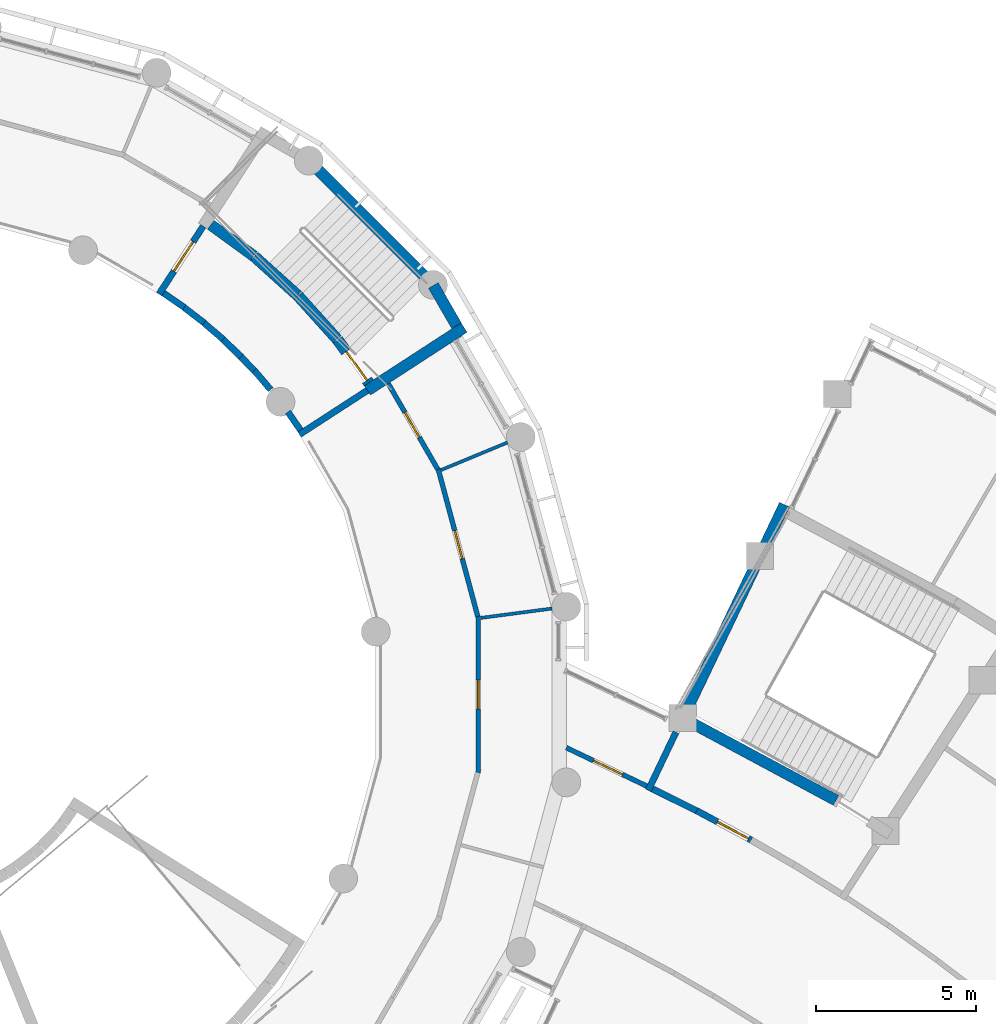
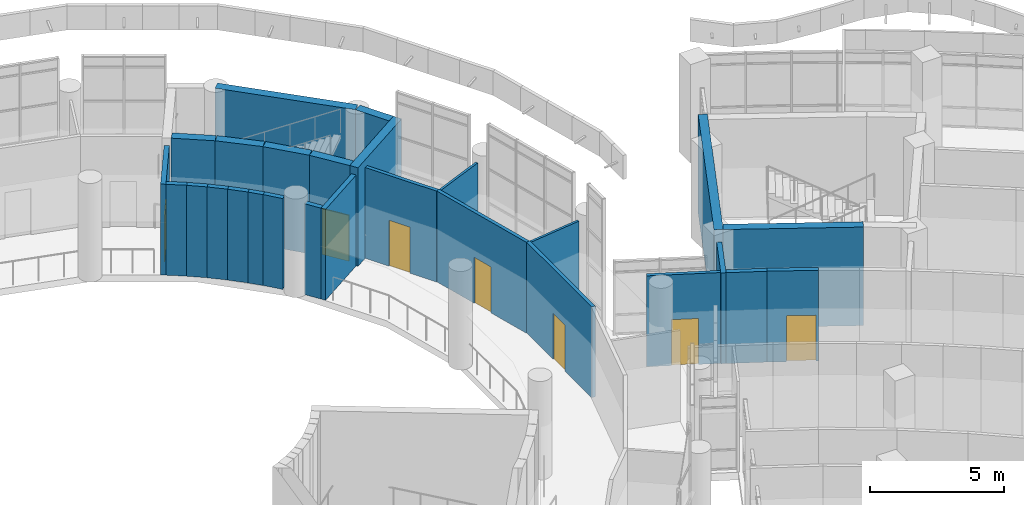
# One storey, part 64 of 136: 27 walls, 7 doors, 7 openings.
"""IFC4 building model written with IfcOpenShell, lengths in metres."""

import ifcopenshell
import ifcopenshell.guid

model = None  # the IFC model being written
_history = None  # IfcOwnerHistory: only IFC2X3 demands one
_inside = {}  # id of a spatial element -> (the spatial element, [elements in it])
_under = {}  # id of a project, library or spatial element -> (it, [spatial elements below it])
_declared = {}  # id of a project -> (the project, [libraries it declares])
_typed = {}  # id of a type object -> (the type object, [elements of that type])
_made_of = {}  # id of a material, layer set ... -> (it, [elements and type objects made of it])


def new_model(schema):
    """Start an empty IFC model of exactly this schema.

    Asked for "IFC4X3", IfcOpenShell would pick the latest addendum, in which some entities
    have other attributes; the version numbers below select the first issue.
    IFC2X3 requires an IfcOwnerHistory on every rooted entity: one is made here for all.
    """
    global model, _history
    if schema == "IFC4X3":
        model = ifcopenshell.file(schema_version=(4, 3, 0, 0))
    else:
        model = ifcopenshell.file(schema=schema)
    _inside.clear()
    _under.clear()
    _declared.clear()
    _typed.clear()
    _made_of.clear()
    _history = None
    if model.schema == "IFC2X3":
        org = make("IfcOrganization", Name="unknown")
        user = make(
            "IfcPersonAndOrganization",
            ThePerson=make("IfcPerson", FamilyName="unknown"),
            TheOrganization=org,
        )
        app = make(
            "IfcApplication",
            ApplicationDeveloper=org,
            Version="unknown",
            ApplicationFullName="unknown",
            ApplicationIdentifier="unknown",
        )
        _history = make(
            "IfcOwnerHistory",
            OwningUser=user,
            OwningApplication=app,
            ChangeAction="ADDED",
            CreationDate=0,
        )
    return model


def make(cls, **values):
    """One entity of the class cls with the attributes given. An attribute that is None is left unset."""
    return model.create_entity(
        cls, **{name: value for name, value in values.items() if value is not None}
    )


def rooted(cls, **values):
    """An entity with a GlobalId (a new one), such as an element, a storey or a relation."""
    return make(cls, GlobalId=ifcopenshell.guid.new(), OwnerHistory=_history, **values)


def si_unit(unit_type, name, prefix=None):
    """IfcSIUnit, for example si_unit("LENGTHUNIT", "METRE", prefix="MILLI")."""
    return make("IfcSIUnit", UnitType=unit_type, Prefix=prefix, Name=name)


def assignment(units):
    """IfcUnitAssignment: the units of a project."""
    return None if units is None else make("IfcUnitAssignment", Units=units)


def point(xyz):
    """IfcCartesianPoint."""
    return None if xyz is None else make("IfcCartesianPoint", Coordinates=xyz)


def direction(xyz):
    """IfcDirection."""
    return None if xyz is None else make("IfcDirection", DirectionRatios=xyz)


def frame(location, z_axis=None, x_axis=None):
    """IfcAxis2Placement3D, a coordinate frame: its origin and axes. An axis left out is left unset."""
    return make(
        "IfcAxis2Placement3D",
        Location=point(location),
        Axis=direction(z_axis),
        RefDirection=direction(x_axis),
    )


def frame_2d(location, x_axis=None):
    """IfcAxis2Placement2D, a coordinate frame in the plane: its origin and x axis."""
    return make(
        "IfcAxis2Placement2D", Location=point(location), RefDirection=direction(x_axis)
    )


def origin():
    """The frame at (0, 0, 0) with its axes left unset."""
    return frame((0.0, 0.0, 0.0))


def place(relative_to, where):
    """IfcLocalPlacement: puts the frame where relative to a parent placement (None: the world)."""
    return make(
        "IfcLocalPlacement", PlacementRelTo=relative_to, RelativePlacement=where
    )


def context(
    kind, dimensions, precision=None, world=None, true_north=None, identifier=None
):
    """IfcGeometricRepresentationContext, for example the 3D "Model" context."""
    return make(
        "IfcGeometricRepresentationContext",
        ContextIdentifier=identifier,
        ContextType=kind,
        CoordinateSpaceDimension=dimensions,
        Precision=precision,
        WorldCoordinateSystem=world,
        TrueNorth=true_north,
    )


def subcontext(parent, identifier, kind, view, scale=None):
    """IfcGeometricRepresentationSubContext, for example "Body" below "Model"."""
    return make(
        "IfcGeometricRepresentationSubContext",
        ContextIdentifier=identifier,
        ContextType=kind,
        ParentContext=parent,
        TargetScale=scale,
        TargetView=view,
    )


def project(units=None, contexts=None):
    """IfcProject with its units and contexts."""
    return rooted(
        "IfcProject",
        Name="project",
        RepresentationContexts=contexts,
        UnitsInContext=assignment(units),
    )


def spatial(cls, under=None, at=None, **own):
    """A site, building, storey or space (cls), placed at a placement, below another one or the project."""
    s = rooted(cls, ObjectPlacement=at, **own)
    if under is not None:
        _under.setdefault(under.id(), (under, []))[1].append(s)
    return s


def profile(cls, at=None, kind="AREA", **sizes):
    """A parametric profile (cls). Its sizes go by their IFC names, for example OverallWidth=200.0."""
    return make(cls, ProfileType=kind, Position=at, **sizes)


def rectangle(**sizes):
    """IfcRectangleProfileDef."""
    return profile("IfcRectangleProfileDef", **sizes)


def extrude(swept, where, along, depth):
    """IfcExtrudedAreaSolid: the profile swept, set in the frame where, extruded along a direction by depth."""
    return make(
        "IfcExtrudedAreaSolid",
        SweptArea=swept,
        Position=where,
        ExtrudedDirection=direction(along),
        Depth=depth,
    )


def shape(context_of_items, identifier, shape_type, items):
    """IfcShapeRepresentation: the items that make up one representation, for example the "Body"."""
    return make(
        "IfcShapeRepresentation",
        ContextOfItems=context_of_items,
        RepresentationIdentifier=identifier,
        RepresentationType=shape_type,
        Items=items,
    )


def material(Name=None, Category=None):
    """IfcMaterial."""
    return make("IfcMaterial", Name=Name, Category=Category)


def layer(
    of_material, thickness, ventilated=None, Name=None, Category=None, Priority=None
):
    """IfcMaterialLayer: one layer of a wall or slab, of a material (None: an air gap)."""
    return make(
        "IfcMaterialLayer",
        Material=of_material,
        LayerThickness=thickness,
        IsVentilated=ventilated,
        Name=Name,
        Category=Category,
        Priority=Priority,
    )


def layer_set(layers, Name=None):
    """IfcMaterialLayerSet."""
    return make("IfcMaterialLayerSet", MaterialLayers=layers, LayerSetName=Name)


def made_of(thing, what):
    """Note that an element or type object is made of a material, layer set ...; save() writes the relation."""
    if what is not None:
        _made_of.setdefault(what.id(), (what, []))[1].append(thing)
    return thing


def type_object(cls, material=None, **own):
    """A type object (cls), such as IfcWallType, which elements share."""
    return made_of(rooted(cls, **own), material)


def element(
    cls,
    number,
    at=None,
    inside=None,
    cuts=None,
    type_object=None,
    material=None,
    context=None,
    identifier="Body",
    shape_type=None,
    held_by="IfcProductDefinitionShape",
    body=None,
    shapes=None,
    **own,
):
    """One element of the class cls, such as IfcWall. Its Tag is "e" and its number.

    at: its placement. inside: the storey or other place that contains it. cuts: it is an
    opening in that element (IfcRelVoidsElement). A single representation is given by context,
    identifier, shape_type and body (its items); several are given by shapes. held_by: the class
    of the entity that holds the representations. save() writes the other relations.
    """
    e = rooted(cls, Tag="e%d" % number, ObjectPlacement=at, **own)
    if body is not None:
        shapes = [shape(context, identifier, shape_type, body)]
    if shapes is not None:
        e.Representation = make(held_by, Representations=shapes)
    if inside is not None:
        _inside.setdefault(inside.id(), (inside, []))[1].append(e)
    if cuts is not None:
        rooted(
            "IfcRelVoidsElement", RelatingBuildingElement=cuts, RelatedOpeningElement=e
        )
    if type_object is not None:
        _typed.setdefault(type_object.id(), (type_object, []))[1].append(e)
    return made_of(e, material)


def fill(opening, filler):
    """IfcRelFillsElement: the door or window that sits in an opening."""
    return rooted(
        "IfcRelFillsElement",
        RelatingOpeningElement=opening,
        RelatedBuildingElement=filler,
    )


def aggregate(whole, parts):
    """IfcRelAggregates: a whole, such as a stair, and the parts it consists of."""
    return rooted("IfcRelAggregates", RelatingObject=whole, RelatedObjects=parts)


def save(model, path):
    """Write the relations noted so far, then the file.

    IfcRelAggregates (storeys below a building ...), IfcRelContainedInSpatialStructure (elements
    in a storey), IfcRelDefinesByType, IfcRelAssociatesMaterial and IfcRelDeclares: one each for
    every whole, place, type object, material and project.
    """
    for whole, parts in _under.values():
        aggregate(whole, parts)
    for where, things in _inside.values():
        rooted(
            "IfcRelContainedInSpatialStructure",
            RelatedElements=things,
            RelatingStructure=where,
        )
    for kind, things in _typed.values():
        rooted("IfcRelDefinesByType", RelatedObjects=things, RelatingType=kind)
    for what, things in _made_of.values():
        rooted("IfcRelAssociatesMaterial", RelatedObjects=things, RelatingMaterial=what)
    for by, libraries in _declared.values():
        rooted("IfcRelDeclares", RelatingContext=by, RelatedDefinitions=libraries)
    model.write(path)


model = new_model("IFC4")

# Units and contexts
model_context = context("Model", 3, precision=1e-05, world=origin(), true_north=direction((0.0, 1.0)))
body_context = subcontext(model_context, "Body", "Model", "MODEL_VIEW")
ifc_project = project(units=[si_unit("LENGTHUNIT", "METRE"), si_unit("AREAUNIT", "SQUARE_METRE"), si_unit("VOLUMEUNIT", "CUBIC_METRE"), si_unit("PLANEANGLEUNIT", "RADIAN"), si_unit("MASSUNIT", "GRAM", prefix="KILO")], contexts=[model_context])

# Site, building, storey
site_placement = place(None, origin())
site = spatial("IfcSite", under=ifc_project, at=site_placement, CompositionType="ELEMENT")
building_placement = place(site_placement, origin())
building = spatial("IfcBuilding", under=site, at=building_placement, Name="Bougainvillea Quay General Hospital", CompositionType="ELEMENT")
storey_placement = place(building_placement, frame((0.0, 0.0, 5.39990234375)))
storey = spatial("IfcBuildingStorey", under=building, at=storey_placement, Name="L01", CompositionType="ELEMENT", Elevation=5.39990234375)

# Walls
ifc_material_1 = material(Name="Gypsum board partition on steel studs", Category="steel")
ifc_layer_1 = layer(ifc_material_1, 0.10009765625)
ifc_layer_set_1 = layer_set([ifc_layer_1], Name="Gypsum board partition on steel studs")
wall_type_1 = type_object("IfcWallType", Name="Partition 100 Gypsum board partition EI 30", PredefinedType="PARTITIONING", material=ifc_layer_set_1)
wall_1_placement = place(storey_placement, frame((126.11572265625, 81.00634765625, 0.0), z_axis=(0.0, 0.0, 1.0), x_axis=(0.923835070081, 0.382790756536, 0.0)))
element("IfcWall", 1, at=wall_1_placement, inside=storey, type_object=wall_type_1, Name="Partition 100 mm EI 30", PredefinedType="PARTITIONING", context=body_context, shape_type="SweptSolid", body=[
    extrude(rectangle(XDim=2.2431640625, YDim=0.10009765625, at=frame_2d((1.12158203125, 0.0))), origin(), (0.0, 0.0, 1.0), 4.150146484375),
])
wall_2_placement = place(storey_placement, frame((127.353515625, 76.390625, 0.0), z_axis=(0.0, 0.0, 1.0), x_axis=(0.991472443169, 0.130316516358, 0.0)))
element("IfcWall", 2, at=wall_2_placement, inside=storey, type_object=wall_type_1, Name="Partition 100 mm EI 30", PredefinedType="PARTITIONING", context=body_context, shape_type="SweptSolid", body=[
    extrude(rectangle(XDim=2.242431640625, YDim=0.10009765625, at=frame_2d((1.12109375, 0.0))), origin(), (0.0, 0.0, 1.0), 4.150146484375),
])

# Wall, opening, door
ifc_material_2 = material(Name="Gypsum board partition on steel studs, insulated", Category="steel")
ifc_layer_2 = layer(ifc_material_2, 0.14990234375)
ifc_layer_set_2 = layer_set([ifc_layer_2], Name="Gypsum board partition on steel studs, insulated")
wall_type_2 = type_object("IfcWallType", Name="Partition 150 Gypsum board partition EI 30", PredefinedType="PARTITIONING", material=ifc_layer_set_2)
wall_3_placement = place(storey_placement, frame((127.27197265625, 71.544921875, 0.0), z_axis=(0.0, 0.0, 1.0), x_axis=(0.0, 1.0, 0.0)))
wall_3 = element("IfcWall", 3, at=wall_3_placement, inside=storey, type_object=wall_type_2, Name="Partition 150 mm EI 30", PredefinedType="PARTITIONING", context=body_context, shape_type="SweptSolid", body=[
    extrude(rectangle(XDim=4.91015625, YDim=0.14990234375, at=frame_2d((2.455078125, 0.0))), origin(), (0.0, 0.0, 1.0), 4.150146484375),
])
opening_1_placement = place(wall_3_placement, frame((2.0048828125, 0.0, 0.0)))
opening_1 = element("IfcOpeningElement", 4, at=opening_1_placement, cuts=wall_3, Name="Opening L01.298", PredefinedType="OPENING", context=body_context, shape_type="SweptSolid", body=[
    extrude(rectangle(XDim=0.89990234375, YDim=2.10009765625, at=frame_2d((0.449951171875, 1.050048828125))), frame((0.0, 0.0849609375, 0.0), z_axis=(0.0, -1.0, 0.0), x_axis=(1.0, 0.0, 0.0)), (0.0, 0.0, 1.0), 0.169921875),
])
ifc_material_3 = material(Name="Solid-core timber door leaf in steel frame", Category="steel")
door_type_1 = type_object("IfcDoorType", Name="Single leaf door 900x2100 FD30S", OperationType="NOTDEFINED", PredefinedType="DOOR", material=ifc_material_3)
door_1_placement = place(opening_1_placement, frame((0.89990234375, 0.0, 0.0), z_axis=(0.0, 0.0, 1.0), x_axis=(-1.0, 0.0, 0.0)))
door_1 = element("IfcDoor", 5, at=door_1_placement, inside=storey, type_object=door_type_1, Name="DT16 L01.298", OperationType="SINGLE_SWING_RIGHT", OverallHeight=2.10009765625, OverallWidth=0.89990234375, PredefinedType="DOOR", context=body_context, shape_type="SweptSolid", body=[
    extrude(rectangle(XDim=0.89990234375, YDim=2.10009765625, at=frame_2d((0.449951171875, 1.050048828125))), frame((0.0, 0.02490234375, 0.0), z_axis=(0.0, -1.0, 0.0), x_axis=(1.0, 0.0, 0.0)), (0.0, 0.0, 1.0), 0.050048828125),
])
fill(opening_1, door_1)

wall_4_placement = place(storey_placement, frame((126.0205078125, 81.04736328125, 0.0), z_axis=(0.0, 0.0, 1.0), x_axis=(0.259008724248, -0.965874981953, 0.0)))
wall_4 = element("IfcWall", 6, at=wall_4_placement, inside=storey, type_object=wall_type_2, Name="Partition 150 mm EI 30", PredefinedType="PARTITIONING", context=body_context, shape_type="SweptSolid", body=[
    extrude(rectangle(XDim=4.774169921875, YDim=0.14990234375, at=frame_2d((2.38720703125, 0.0))), origin(), (0.0, 0.0, 1.0), 4.150146484375),
])
opening_2_placement = place(wall_4_placement, frame((2.003662109375, 0.0, 0.0)))
opening_2 = element("IfcOpeningElement", 7, at=opening_2_placement, cuts=wall_4, Name="Opening L01.299", PredefinedType="OPENING", context=body_context, shape_type="SweptSolid", body=[
    extrude(rectangle(XDim=0.89990234375, YDim=2.10009765625, at=frame_2d((0.449951171875, 1.050048828125))), frame((0.0, 0.0849609375, 0.0), z_axis=(0.0, -1.0, 0.0), x_axis=(1.0, 0.0, 0.0)), (0.0, 0.0, 1.0), 0.169921875),
])
door_2_placement = place(opening_2_placement, origin())
door_2 = element("IfcDoor", 8, at=door_2_placement, inside=storey, type_object=door_type_1, Name="DT16 L01.299", OperationType="SINGLE_SWING_RIGHT", OverallHeight=2.10009765625, OverallWidth=0.89990234375, PredefinedType="DOOR", context=body_context, shape_type="SweptSolid", body=[
    extrude(rectangle(XDim=0.89990234375, YDim=2.10009765625, at=frame_2d((0.449951171875, 1.050048828125))), frame((0.0, 0.02490234375, 0.0), z_axis=(0.0, -1.0, 0.0), x_axis=(1.0, 0.0, 0.0)), (0.0, 0.0, 1.0), 0.050048828125),
])
fill(opening_2, door_2)

wall_5_placement = place(storey_placement, frame((124.466552734375, 83.700927734375, 0.0), z_axis=(0.0, 0.0, 1.0), x_axis=(0.499895749011, -0.866085584755, 0.0)))
wall_5 = element("IfcWall", 9, at=wall_5_placement, inside=storey, type_object=wall_type_2, Name="Partition 150 mm EI 30", PredefinedType="PARTITIONING", context=body_context, shape_type="SweptSolid", body=[
    extrude(rectangle(XDim=3.089599609375, YDim=0.14990234375, at=frame_2d((1.544921875, 0.0))), origin(), (0.0, 0.0, 1.0), 4.150146484375),
])
opening_3_placement = place(wall_5_placement, frame((1.0341796875, 0.0, 0.0)))
opening_3 = element("IfcOpeningElement", 10, at=opening_3_placement, cuts=wall_5, Name="Opening L01.300", PredefinedType="OPENING", context=body_context, shape_type="SweptSolid", body=[
    extrude(rectangle(XDim=0.89990234375, YDim=2.10009765625, at=frame_2d((0.449951171875, 1.050048828125))), frame((0.0, 0.0849609375, 0.0), z_axis=(0.0, -1.0, 0.0), x_axis=(1.0, 0.0, 0.0)), (0.0, 0.0, 1.0), 0.169921875),
])
door_3_placement = place(opening_3_placement, origin())
door_3 = element("IfcDoor", 11, at=door_3_placement, inside=storey, type_object=door_type_1, Name="DT16 L01.300", OperationType="SINGLE_SWING_LEFT", OverallHeight=2.10009765625, OverallWidth=0.89990234375, PredefinedType="DOOR", context=body_context, shape_type="SweptSolid", body=[
    extrude(rectangle(XDim=0.89990234375, YDim=2.10009765625, at=frame_2d((0.449951171875, 1.050048828125))), frame((0.0, 0.02490234375, 0.0), z_axis=(0.0, -1.0, 0.0), x_axis=(1.0, 0.0, 0.0)), (0.0, 0.0, 1.0), 0.050048828125),
])
fill(opening_3, door_3)

wall_6_placement = place(storey_placement, frame((130.02001953125, 72.341064453125, 0.0), z_axis=(0.0, 0.0, 1.0), x_axis=(0.902598955707, -0.43048243304, 0.0)))
wall_6 = element("IfcWall", 12, at=wall_6_placement, inside=storey, type_object=wall_type_2, Name="Partition 150 mm EI 30", PredefinedType="PARTITIONING", context=body_context, shape_type="SweptSolid", body=[
    extrude(rectangle(XDim=2.779541015625, YDim=0.14990234375, at=frame_2d((1.3896484375, 0.0))), origin(), (0.0, 0.0, 1.0), 4.150146484375),
])
opening_4_placement = place(wall_6_placement, frame((0.940185546875, 0.0, 0.0)))
opening_4 = element("IfcOpeningElement", 13, at=opening_4_placement, cuts=wall_6, Name="Opening L01.285", PredefinedType="OPENING", context=body_context, shape_type="SweptSolid", body=[
    extrude(rectangle(XDim=1.0, YDim=2.10009765625, at=frame_2d((0.5, 1.050048828125))), frame((0.0, 0.0849609375, 0.0), z_axis=(0.0, -1.0, 0.0), x_axis=(1.0, 0.0, 0.0)), (0.0, 0.0, 1.0), 0.169921875),
])
door_type_2 = type_object("IfcDoorType", Name="Single leaf door 1000x2100 FD30S", OperationType="NOTDEFINED", PredefinedType="DOOR", material=ifc_material_3)
door_4_placement = place(opening_4_placement, origin())
door_4 = element("IfcDoor", 14, at=door_4_placement, inside=storey, type_object=door_type_2, Name="DT15 L01.285", OperationType="SINGLE_SWING_RIGHT", OverallHeight=2.10009765625, OverallWidth=1.0, PredefinedType="DOOR", context=body_context, shape_type="SweptSolid", body=[
    extrude(rectangle(XDim=1.0, YDim=2.10009765625, at=frame_2d((0.5, 1.050048828125))), frame((0.0, 0.02490234375, 0.0), z_axis=(0.0, -1.0, 0.0), x_axis=(1.0, 0.0, 0.0)), (0.0, 0.0, 1.0), 0.050048828125),
])
fill(opening_4, door_4)

ifc_material_4 = material(Name="Fire-rated autoclaved aerated block wall, plastered")
ifc_layer_3 = layer(ifc_material_4, 0.199951171875)
ifc_layer_set_3 = layer_set([ifc_layer_3], Name="Fire-rated autoclaved aerated block wall, plastered")
wall_type_3 = type_object("IfcWallType", Name="Partition 200 Fire-rated autoclaved aerated block wall EI 120", PredefinedType="SOLIDWALL", material=ifc_layer_set_3)
wall_7_placement = place(storey_placement, frame((117.3154296875, 86.49609375, 0.0), z_axis=(0.0, 0.0, 1.0), x_axis=(0.544553338247, 0.838726213853, 0.0)))
wall_7 = element("IfcWall", 15, at=wall_7_placement, inside=storey, type_object=wall_type_3, Name="Partition 200 mm EI 120", PredefinedType="SOLIDWALL", context=body_context, shape_type="SweptSolid", body=[
    extrude(rectangle(XDim=2.525390625, YDim=0.199951171875, at=frame_2d((1.2626953125, 0.0))), origin(), (0.0, 0.0, 1.0), 4.150146484375),
])
opening_5_placement = place(wall_7_placement, frame((0.85009765625, 0.0, 0.0)))
opening_5 = element("IfcOpeningElement", 16, at=opening_5_placement, cuts=wall_7, Name="Opening L01.326", PredefinedType="OPENING", context=body_context, shape_type="SweptSolid", body=[
    extrude(rectangle(XDim=1.10009765625, YDim=2.10009765625, at=frame_2d((0.550048828125, 1.050048828125))), frame((0.0, 0.10986328125, 0.0), z_axis=(0.0, -1.0, 0.0), x_axis=(1.0, 0.0, 0.0)), (0.0, 0.0, 1.0), 0.219970703125),
])
door_type_3 = type_object("IfcDoorType", Name="Single leaf door 1100x2100 FD60", OperationType="NOTDEFINED", PredefinedType="DOOR", material=ifc_material_3)
door_5_placement = place(opening_5_placement, frame((1.10009765625, 0.0, 0.0), z_axis=(0.0, 0.0, 1.0), x_axis=(-1.0, 0.0, 0.0)))
door_5 = element("IfcDoor", 17, at=door_5_placement, inside=storey, type_object=door_type_3, Name="DT19 L01.326", OperationType="SINGLE_SWING_LEFT", OverallHeight=2.10009765625, OverallWidth=1.10009765625, PredefinedType="DOOR", context=body_context, shape_type="SweptSolid", body=[
    extrude(rectangle(XDim=1.10009765625, YDim=2.10009765625, at=frame_2d((0.550048828125, 1.050048828125))), frame((0.0, 0.02490234375, 0.0), z_axis=(0.0, -1.0, 0.0), x_axis=(1.0, 0.0, 0.0)), (0.0, 0.0, 1.0), 0.050048828125),
])
fill(opening_5, door_5)

# Walls
wall_8_placement = place(storey_placement, frame((121.696044921875, 82.115478515625, 0.0), z_axis=(0.0, 0.0, 1.0), x_axis=(0.838726213853, 0.544553338247, 0.0)))
element("IfcWall", 18, at=wall_8_placement, inside=storey, type_object=wall_type_3, Name="Partition 200 mm EI 120", PredefinedType="SOLIDWALL", context=body_context, shape_type="SweptSolid", body=[
    extrude(rectangle(XDim=2.525390625, YDim=0.199951171875, at=frame_2d((1.2626953125, 0.0))), origin(), (0.0, 0.0, 1.0), 4.150146484375),
])
wall_9_placement = place(storey_placement, frame((132.576904296875, 71.0107421875, 0.0), z_axis=(0.0, 0.0, 1.0), x_axis=(0.430518201576, 0.902581895515, 0.0)))
element("IfcWall", 19, at=wall_9_placement, inside=storey, type_object=wall_type_3, Name="Partition 200 mm EI 120", PredefinedType="SOLIDWALL", context=body_context, shape_type="SweptSolid", body=[
    extrude(rectangle(XDim=2.009765625, YDim=0.199951171875, at=frame_2d((1.0048828125, 0.0))), origin(), (0.0, 0.0, 1.0), 4.150146484375),
])

# Wall, opening, door
wall_10_placement = place(storey_placement, frame((134.0859375, 70.37646484375, 0.0), z_axis=(0.0, 0.0, 1.0), x_axis=(0.880766540035, -0.473550738521, 0.0)))
wall_10 = element("IfcWall", 20, at=wall_10_placement, inside=storey, type_object=wall_type_3, Name="Partition 200 mm EI 120", PredefinedType="SOLIDWALL", context=body_context, shape_type="SweptSolid", body=[
    extrude(rectangle(XDim=1.935791015625, YDim=0.199951171875, at=frame_2d((0.9677734375, 0.0))), origin(), (0.0, 0.0, 1.0), 4.150146484375),
])
opening_6_placement = place(wall_10_placement, frame((0.736083984375, 0.0, 0.0)))
opening_6 = element("IfcOpeningElement", 21, at=opening_6_placement, cuts=wall_10, Name="Opening L01.318", PredefinedType="OPENING", context=body_context, shape_type="SweptSolid", body=[
    extrude(rectangle(XDim=1.10009765625, YDim=2.10009765625, at=frame_2d((0.550048828125, 1.050048828125))), frame((0.0, 0.10986328125, 0.0), z_axis=(0.0, -1.0, 0.0), x_axis=(1.0, 0.0, 0.0)), (0.0, 0.0, 1.0), 0.219970703125),
])
ifc_material_5 = material(Name="Steel fire door leaf in steel frame", Category="steel")
door_type_4 = type_object("IfcDoorType", Name="Steel single leaf door 1100x2100 FD60", OperationType="NOTDEFINED", PredefinedType="DOOR", material=ifc_material_5)
door_6_placement = place(opening_6_placement, origin())
door_6 = element("IfcDoor", 22, at=door_6_placement, inside=storey, type_object=door_type_4, Name="DT04 L01.318", OperationType="SINGLE_SWING_RIGHT", OverallHeight=2.10009765625, OverallWidth=1.10009765625, PredefinedType="DOOR", context=body_context, shape_type="SweptSolid", body=[
    extrude(rectangle(XDim=1.10009765625, YDim=2.10009765625, at=frame_2d((0.550048828125, 1.050048828125))), frame((0.0, 0.02490234375, 0.0), z_axis=(0.0, -1.0, 0.0), x_axis=(1.0, 0.0, 0.0)), (0.0, 0.0, 1.0), 0.050048828125),
])
fill(opening_6, door_6)

# Walls
wall_11_placement = place(storey_placement, frame((132.7109375, 71.055908203125, 0.0), z_axis=(0.0, 0.0, 1.0), x_axis=(0.895536498634, -0.444988066822, 0.0)))
element("IfcWall", 23, at=wall_11_placement, inside=storey, type_object=wall_type_3, Name="Partition 200 mm EI 120", PredefinedType="SOLIDWALL", context=body_context, shape_type="SweptSolid", body=[
    extrude(rectangle(XDim=1.536865234375, YDim=0.199951171875, at=frame_2d((0.7685546875, 0.0))), origin(), (0.0, 0.0, 1.0), 4.150146484375),
])
wall_12_placement = place(storey_placement, frame((121.334716796875, 82.8173828125, 0.0), z_axis=(0.0, 0.0, 1.0), x_axis=(0.56675458302, -0.823886668557, 0.0)))
element("IfcWall", 24, at=wall_12_placement, inside=storey, type_object=wall_type_3, Name="Partition 200 mm EI 120", PredefinedType="SOLIDWALL", context=body_context, shape_type="SweptSolid", body=[
    extrude(rectangle(XDim=0.6884765625, YDim=0.199951171875, at=frame_2d((0.34423828125, 0.0))), origin(), (0.0, 0.0, 1.0), 4.150146484375),
])
wall_13_placement = place(storey_placement, frame((117.4501953125, 86.52490234375, 0.0), z_axis=(0.0, 0.0, 1.0), x_axis=(0.823906287356, -0.566726062269, 0.0)))
element("IfcWall", 25, at=wall_13_placement, inside=storey, type_object=wall_type_3, Name="Partition 200 mm EI 120", PredefinedType="SOLIDWALL", context=body_context, shape_type="SweptSolid", body=[
    extrude(rectangle(XDim=0.787841796875, YDim=0.199951171875, at=frame_2d((0.39404296875, 0.0))), origin(), (0.0, 0.0, 1.0), 4.150146484375),
])
for number, where, z_axis, x_axis, name in (
    (26, (118.09228515625, 86.0771484375, 0.0), (0.0, 0.0, 1.0), (0.793427303362, -0.608665026333, 0.0), "Partition 200 mm EI 120"),
    (27, (120.281982421875, 84.113037109375, 0.0), (0.0, 0.0, 1.0), (0.649645835292, -0.76023699508, 0.0), "Partition 200 mm EI 120"),
):
    element("IfcWall", number, at=place(storey_placement, frame(where, z_axis=z_axis, x_axis=x_axis)), inside=storey, type_object=wall_type_3, Name=name, PredefinedType="SOLIDWALL", context=body_context, shape_type="SweptSolid", body=[
        extrude(rectangle(XDim=0.790283203125, YDim=0.199951171875, at=frame_2d((0.39501953125, 0.0))), origin(), (0.0, 0.0, 1.0), 4.150146484375),
    ])
wall_14_placement = place(storey_placement, frame((118.712158203125, 85.59521484375, 0.0), z_axis=(0.0, 0.0, 1.0), x_axis=(0.760389572583, -0.649467241597, 0.0)))
element("IfcWall", 28, at=wall_14_placement, inside=storey, type_object=wall_type_3, Name="Partition 200 mm EI 120", PredefinedType="SOLIDWALL", context=body_context, shape_type="SweptSolid", body=[
    extrude(rectangle(XDim=0.7900390625, YDim=0.199951171875, at=frame_2d((0.39501953125, 0.0))), origin(), (0.0, 0.0, 1.0), 4.150146484375),
])
wall_15_placement = place(storey_placement, frame((119.305908203125, 85.08154296875, 0.0), z_axis=(0.0, 0.0, 1.0), x_axis=(0.726001390363, -0.687693231893, 0.0)))
element("IfcWall", 29, at=wall_15_placement, inside=storey, type_object=wall_type_3, Name="Partition 200 mm EI 120", PredefinedType="SOLIDWALL", context=body_context, shape_type="SweptSolid", body=[
    extrude(rectangle(XDim=0.790283203125, YDim=0.199951171875, at=frame_2d((0.39501953125, 0.0))), origin(), (0.0, 0.0, 1.0), 4.150146484375),
])
wall_16_placement = place(storey_placement, frame((119.872314453125, 84.5380859375, 0.0), z_axis=(0.0, 0.0, 1.0), x_axis=(0.687562563481, -0.726125141624, 0.0)))
element("IfcWall", 30, at=wall_16_placement, inside=storey, type_object=wall_type_3, Name="Partition 200 mm EI 120", PredefinedType="SOLIDWALL", context=body_context, shape_type="SweptSolid", body=[
    extrude(rectangle(XDim=0.59521484375, YDim=0.199951171875, at=frame_2d((0.297607421875, 0.0))), origin(), (0.0, 0.0, 1.0), 4.150146484375),
])
ifc_material_6 = material(Name="Concrete C40", Category="concrete")
ifc_layer_4 = layer(ifc_material_6, 0.35009765625)
ifc_layer_set_4 = layer_set([ifc_layer_4], Name="Concrete C40")
wall_type_4 = type_object("IfcWallType", Name="RC SHEAR WALL 350 C40", PredefinedType="SHEAR", material=ifc_layer_set_4)
wall_17_placement = place(storey_placement, frame((118.927490234375, 88.658203125, 0.0), z_axis=(0.0, 0.0, 1.0), x_axis=(0.808869786542, -0.587987813155, 0.0)))
element("IfcWall", 31, at=wall_17_placement, inside=storey, type_object=wall_type_4, Name="Shear wall L01", PredefinedType="SHEAR", context=body_context, shape_type="SweptSolid", body=[
    extrude(rectangle(XDim=1.657958984375, YDim=0.35009765625, at=frame_2d((0.8291015625, 0.0))), origin(), (0.0, 0.0, 1.0), 4.5),
])
for number, where, z_axis, x_axis, name in (
    (32, (120.28271484375, 87.671875, 0.0), (0.0, 0.0, 1.0), (0.743081147279, -0.669201321397, 0.0), "Shear wall L01"),
    (33, (121.651123046875, 86.438232421875, 0.0), (0.0, 0.0, 1.0), (0.669201321397, -0.743081147279, 0.0), "Shear wall L01"),
):
    element("IfcWall", number, at=place(storey_placement, frame(where, z_axis=z_axis, x_axis=x_axis)), inside=storey, type_object=wall_type_4, Name=name, PredefinedType="SHEAR", context=body_context, shape_type="SweptSolid", body=[
        extrude(rectangle(XDim=1.82421875, YDim=0.35009765625, at=frame_2d((0.912109375, 0.0))), origin(), (0.0, 0.0, 1.0), 4.5),
    ])
wall_18_placement = place(storey_placement, frame((122.000244140625, 90.643798828125, 0.0), z_axis=(0.0, 0.0, 1.0), x_axis=(0.707106781187, -0.707106781187, 0.0)))
element("IfcWall", 34, at=wall_18_placement, inside=storey, type_object=wall_type_4, Name="Shear wall L01", PredefinedType="SHEAR", context=body_context, shape_type="SweptSolid", body=[
    extrude(rectangle(XDim=5.435546875, YDim=0.35009765625, at=frame_2d((2.7177734375, 0.0))), origin(), (0.0, 0.0, 1.0), 4.5),
])

# Wall, opening, door
wall_19_placement = place(storey_placement, frame((122.88330078125, 85.068603515625, 0.0), z_axis=(0.0, 0.0, 1.0), x_axis=(0.587987813155, -0.808869786542, 0.0)))
wall_19 = element("IfcWall", 35, at=wall_19_placement, inside=storey, type_object=wall_type_4, Name="Shear wall L01", PredefinedType="SHEAR", context=body_context, shape_type="SweptSolid", body=[
    extrude(rectangle(XDim=1.657958984375, YDim=0.35009765625, at=frame_2d((0.8291015625, 0.0))), origin(), (0.0, 0.0, 1.0), 4.5),
])
opening_7_placement = place(wall_19_placement, frame((0.457763671875, 0.0, 0.0)))
opening_7 = element("IfcOpeningElement", 36, at=opening_7_placement, cuts=wall_19, Name="Opening L01.325", PredefinedType="OPENING", context=body_context, shape_type="SweptSolid", body=[
    extrude(rectangle(XDim=1.10009765625, YDim=2.10009765625, at=frame_2d((0.550048828125, 1.050048828125))), frame((0.0, 0.18505859375, 0.0), z_axis=(0.0, -1.0, 0.0), x_axis=(1.0, 0.0, 0.0)), (0.0, 0.0, 1.0), 0.3701171875),
])
door_7_placement = place(opening_7_placement, origin())
door_7 = element("IfcDoor", 37, at=door_7_placement, inside=storey, type_object=door_type_4, Name="DT04 L01.325", OperationType="SINGLE_SWING_RIGHT", OverallHeight=2.10009765625, OverallWidth=1.10009765625, PredefinedType="DOOR", context=body_context, shape_type="SweptSolid", body=[
    extrude(rectangle(XDim=1.10009765625, YDim=2.10009765625, at=frame_2d((0.550048828125, 1.050048828125))), frame((0.0, 0.02490234375, 0.0), z_axis=(0.0, -1.0, 0.0), x_axis=(1.0, 0.0, 0.0)), (0.0, 0.0, 1.0), 0.050048828125),
])
fill(opening_7, door_7)

# Walls
wall_20_placement = place(storey_placement, frame((123.814208984375, 83.49072265625, 0.0), z_axis=(0.0, 0.0, 1.0), x_axis=(0.838691576971, 0.544606682587, 0.0)))
element("IfcWall", 38, at=wall_20_placement, inside=storey, type_object=wall_type_4, Name="Shear wall L01", PredefinedType="SHEAR", context=body_context, shape_type="SweptSolid", body=[
    extrude(rectangle(XDim=3.597900390625, YDim=0.35009765625, at=frame_2d((1.798828125, 0.0))), origin(), (0.0, 0.0, 1.0), 4.5),
])
wall_21_placement = place(storey_placement, frame((125.87158203125, 86.76416015625, 0.0), z_axis=(0.0, 0.0, 1.0), x_axis=(0.499882561262, -0.866093196455, 0.0)))
element("IfcWall", 39, at=wall_21_placement, inside=storey, type_object=wall_type_4, Name="Shear wall L01", PredefinedType="SHEAR", context=body_context, shape_type="SweptSolid", body=[
    extrude(rectangle(XDim=1.451904296875, YDim=0.35009765625, at=frame_2d((0.72607421875, 0.0))), origin(), (0.0, 0.0, 1.0), 4.5),
])
wall_22_placement = place(storey_placement, frame((133.57763671875, 73.109130859375, 0.0), z_axis=(0.0, 0.0, 1.0), x_axis=(0.430592498036, 0.90254645345, 0.0)))
element("IfcWall", 40, at=wall_22_placement, inside=storey, type_object=wall_type_4, Name="Shear wall L01", PredefinedType="SHEAR", context=body_context, shape_type="SweptSolid", body=[
    extrude(rectangle(XDim=7.549560546875, YDim=0.35009765625, at=frame_2d((3.77490234375, 0.0))), origin(), (0.0, 0.0, 1.0), 4.5),
])
wall_23_placement = place(storey_placement, frame((138.43603515625, 70.69775390625, 0.0), z_axis=(0.0, 0.0, 1.0), x_axis=(-0.880959996263, 0.473190749048, 0.0)))
element("IfcWall", 41, at=wall_23_placement, inside=storey, type_object=wall_type_4, Name="Shear wall L01", PredefinedType="SHEAR", context=body_context, shape_type="SweptSolid", body=[
    extrude(rectangle(XDim=5.25439453125, YDim=0.35009765625, at=frame_2d((2.627197265625, 0.0))), origin(), (0.0, 0.0, 1.0), 4.5),
])

save(model, "model.ifc")
